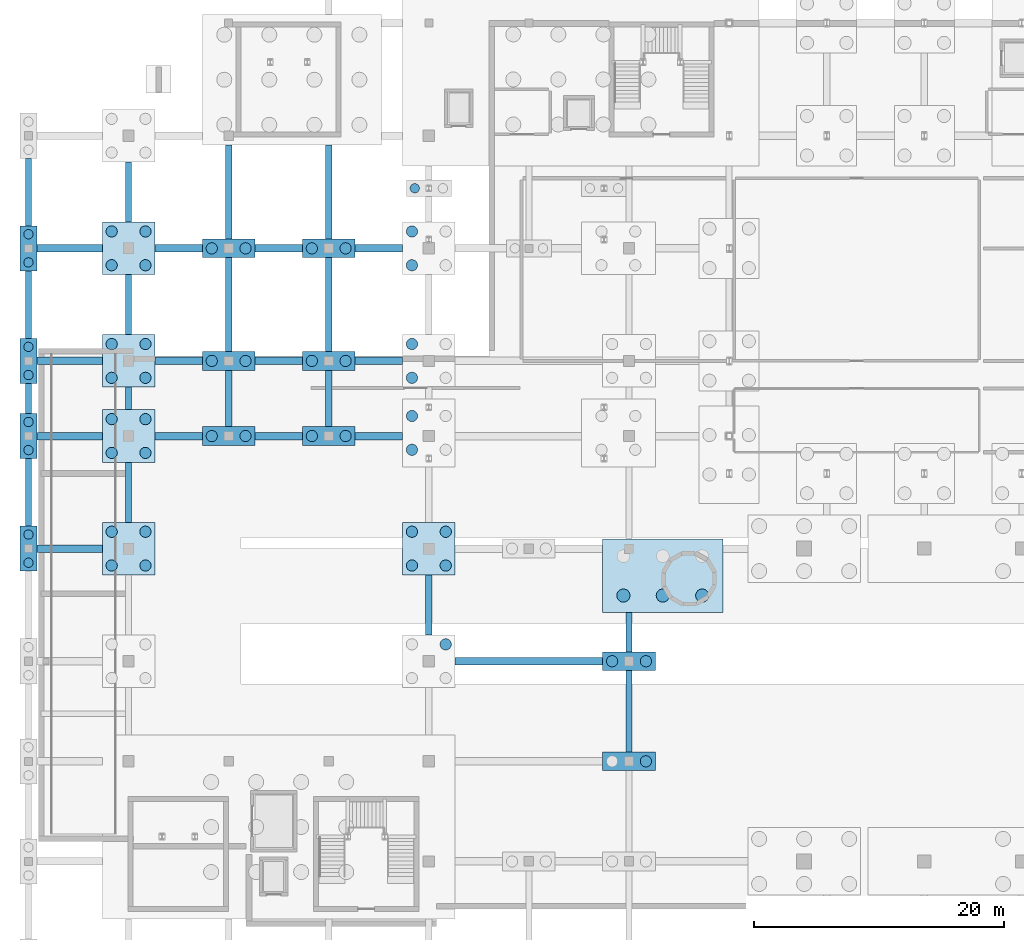
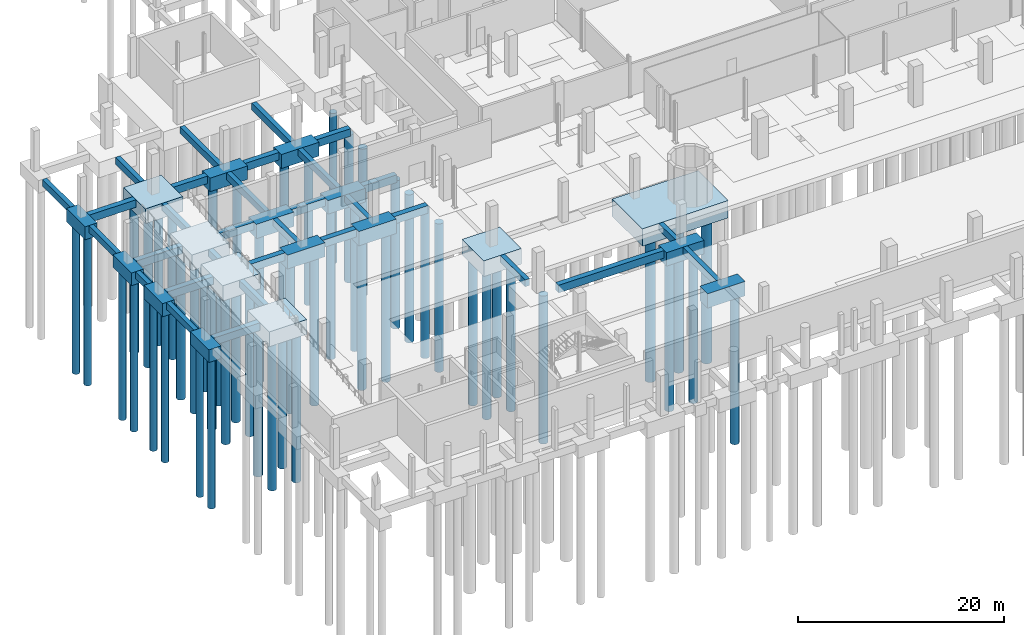
# One storey, part 2 of 32: 54 piles, 49 footings.
"""IFC4 building model written with IfcOpenShell, lengths in metres."""

from ifc_helpers import new_model, si_unit, derived_unit, direction, frame, origin, origin_2d, place, context, subcontext, project, spatial, rectangle, circle, extrude, material, material_profile, profile_set, type_object, element, save


model = new_model("IFC4")

# Units and contexts
model_context = context("Model", 3, precision=1e-05, world=origin(), true_north=direction((0.0, 1.0)))
body_context = subcontext(model_context, "Body", "Model", "MODEL_VIEW")
ifc_project = project(units=[si_unit("LENGTHUNIT", "METRE"), si_unit("AREAUNIT", "SQUARE_METRE"), si_unit("VOLUMEUNIT", "CUBIC_METRE"), si_unit("PLANEANGLEUNIT", "RADIAN"), si_unit("MASSUNIT", "GRAM", prefix="KILO"), derived_unit("THERMALTRANSMITTANCEUNIT", [(si_unit("POWERUNIT", "WATT"), 1), (si_unit("LENGTHUNIT", "METRE"), -2), (si_unit("THERMODYNAMICTEMPERATUREUNIT", "KELVIN"), -1)])], contexts=[model_context])

# Site, building, storey
site_placement = place(None, origin())
site = spatial("IfcSite", under=ifc_project, at=site_placement, CompositionType="ELEMENT")
building_placement = place(site_placement, origin())
building = spatial("IfcBuilding", under=site, at=building_placement, Name="Nallur Shell Playhouse", CompositionType="ELEMENT")
storey_placement = place(building_placement, frame((0.0, 0.0, -4.800048828125)))
storey = spatial("IfcBuildingStorey", under=building, at=storey_placement, Name="B1", CompositionType="ELEMENT", Elevation=-4.800048828125)

# Footings
ifc_material = material(Name="Concrete M35", Category="concrete")
footing_type_1 = type_object("IfcFootingType", Name="FT-PC-135x360x150", PredefinedType="PILE_CAP", material=ifc_material)
for number, where, z_axis, x_axis, name in (
    (1, (8.0, 41.0, -1.5), (0.0, 0.0, 1.0), (1.0, 0.0, 0.0), "Pile cap PC-005"),
    (2, (8.0, 56.0, -1.5), (0.0, 0.0, 1.0), (1.0, 0.0, 0.0), "Pile cap PC-007"),
):
    element("IfcFooting", number, at=place(storey_placement, frame(where, z_axis=z_axis, x_axis=x_axis)), inside=storey, type_object=footing_type_1, Name=name, PredefinedType="PILE_CAP", context=body_context, shape_type="SweptSolid", body=[
        extrude(rectangle(XDim=1.35009765625, YDim=3.60009765625, at=origin_2d()), origin(), (0.0, 0.0, 1.0), 1.5),
    ])
footing_type_2 = type_object("IfcFootingType", Name="FT-PC-135x360x155", PredefinedType="PILE_CAP", material=ifc_material)
for number, where, z_axis, x_axis, name in (
    (3, (8.0, 50.0, -1.5498046875), (0.0, 0.0, 1.0), (1.0, 0.0, 0.0), "Pile cap PC-006"),
    (4, (8.0, 65.0, -1.5498046875), (0.0, 0.0, 1.0), (1.0, 0.0, 0.0), "Pile cap PC-008"),
):
    element("IfcFooting", number, at=place(storey_placement, frame(where, z_axis=z_axis, x_axis=x_axis)), inside=storey, type_object=footing_type_2, Name=name, PredefinedType="PILE_CAP", context=body_context, shape_type="SweptSolid", body=[
        extrude(rectangle(XDim=1.35009765625, YDim=3.60009765625, at=origin_2d()), origin(), (0.0, 0.0, 1.0), 1.550048828125),
    ])
footing_type_3 = type_object("IfcFootingType", Name="FT-PC-420x150x160", PredefinedType="PILE_CAP", material=ifc_material)
for number, where, z_axis, x_axis, name in (
    (5, (24.0, 65.0, -1.60009765625), (0.0, 0.0, 1.0), (1.0, 0.0, 0.0), "Pile cap PC-021"),
    (6, (32.0, 56.0, -1.60009765625), (0.0, 0.0, 1.0), (1.0, 0.0, 0.0), "Pile cap PC-025"),
    (7, (56.0, 32.0, -1.60009765625), (0.0, 0.0, 1.0), (1.0, 0.0, 0.0), "Pile cap PC-051"),
):
    element("IfcFooting", number, at=place(storey_placement, frame(where, z_axis=z_axis, x_axis=x_axis)), inside=storey, type_object=footing_type_3, Name=name, PredefinedType="PILE_CAP", context=body_context, shape_type="SweptSolid", body=[
        extrude(rectangle(XDim=4.199951171875, YDim=1.5, at=origin_2d()), origin(), (0.0, 0.0, 1.0), 1.60009765625),
    ])
footing_type_4 = type_object("IfcFootingType", Name="FT-PC-420x150x165", PredefinedType="PILE_CAP", material=ifc_material)
for number, where, z_axis, x_axis, name in (
    (8, (24.0, 50.0, -1.64990234375), (0.0, 0.0, 1.0), (1.0, 0.0, 0.0), "Pile cap PC-019"),
    (9, (32.0, 65.0, -1.64990234375), (0.0, 0.0, 1.0), (1.0, 0.0, 0.0), "Pile cap PC-026"),
):
    element("IfcFooting", number, at=place(storey_placement, frame(where, z_axis=z_axis, x_axis=x_axis)), inside=storey, type_object=footing_type_4, Name=name, PredefinedType="PILE_CAP", context=body_context, shape_type="SweptSolid", body=[
        extrude(rectangle(XDim=4.199951171875, YDim=1.5, at=origin_2d()), origin(), (0.0, 0.0, 1.0), 1.64990234375),
    ])
footing_type_5 = type_object("IfcFootingType", Name="FT-PC-420x150x170", PredefinedType="PILE_CAP", material=ifc_material)
for number, where, z_axis, x_axis, name in (
    (10, (24.0, 56.0, -1.69970703125), (0.0, 0.0, 1.0), (1.0, 0.0, 0.0), "Pile cap PC-020"),
    (11, (32.0, 50.0, -1.69970703125), (0.0, 0.0, 1.0), (1.0, 0.0, 0.0), "Pile cap PC-024"),
    (12, (56.0, 24.0, -1.69970703125), (0.0, 0.0, 1.0), (1.0, 0.0, 0.0), "Pile cap PC-050"),
):
    element("IfcFooting", number, at=place(storey_placement, frame(where, z_axis=z_axis, x_axis=x_axis)), inside=storey, type_object=footing_type_5, Name=name, PredefinedType="PILE_CAP", context=body_context, shape_type="SweptSolid", body=[
        extrude(rectangle(XDim=4.199951171875, YDim=1.5, at=origin_2d()), origin(), (0.0, 0.0, 1.0), 1.699951171875),
    ])
footing_type_6 = type_object("IfcFootingType", Name="FT-PC-420x420x175", PredefinedType="PILE_CAP", material=ifc_material)
for number, where, z_axis, x_axis, name in (
    (13, (16.0, 41.0, -1.75), (0.0, 0.0, 1.0), (1.0, 0.0, 0.0), "Pile cap PC-013"),
    (14, (16.0, 65.0, -1.75), (0.0, 0.0, 1.0), (1.0, 0.0, 0.0), "Pile cap PC-016"),
):
    element("IfcFooting", number, at=place(storey_placement, frame(where, z_axis=z_axis, x_axis=x_axis)), inside=storey, type_object=footing_type_6, Name=name, PredefinedType="PILE_CAP", context=body_context, shape_type="SweptSolid", body=[
        extrude(rectangle(XDim=4.199951171875, YDim=4.199951171875, at=origin_2d()), origin(), (0.0, 0.0, 1.0), 1.75),
    ])
footing_type_7 = type_object("IfcFootingType", Name="FT-PC-420x420x180", PredefinedType="PILE_CAP", material=ifc_material)
footing_1_placement = place(storey_placement, frame((16.0, 50.0, -1.7998046875), z_axis=(0.0, 0.0, 1.0), x_axis=(1.0, 0.0, 0.0)))
element("IfcFooting", 15, at=footing_1_placement, inside=storey, type_object=footing_type_7, Name="Pile cap PC-014", PredefinedType="PILE_CAP", context=body_context, shape_type="SweptSolid", body=[
    extrude(rectangle(XDim=4.199951171875, YDim=4.199951171875, at=origin_2d()), origin(), (0.0, 0.0, 1.0), 1.800048828125),
])
footing_type_8 = type_object("IfcFootingType", Name="FT-PC-420x420x185", PredefinedType="PILE_CAP", material=ifc_material)
for number, where, z_axis, x_axis, name in (
    (16, (16.0, 56.0, -1.85009765625), (0.0, 0.0, 1.0), (1.0, 0.0, 0.0), "Pile cap PC-015"),
    (17, (40.0, 41.0, -1.85009765625), (0.0, 0.0, 1.0), (1.0, 0.0, 0.0), "Pile cap PC-031"),
):
    element("IfcFooting", number, at=place(storey_placement, frame(where, z_axis=z_axis, x_axis=x_axis)), inside=storey, type_object=footing_type_8, Name=name, PredefinedType="PILE_CAP", context=body_context, shape_type="SweptSolid", body=[
        extrude(rectangle(XDim=4.199951171875, YDim=4.199951171875, at=origin_2d()), origin(), (0.0, 0.0, 1.0), 1.85009765625),
    ])
footing_type_9 = type_object("IfcFootingType", Name="FT-PC-960x585x205", PredefinedType="PILE_CAP", material=ifc_material)
footing_2_placement = place(storey_placement, frame((58.699951171875, 38.824951171875, -2.0498046875), z_axis=(0.0, 0.0, 1.0), x_axis=(1.0, 0.0, 0.0)))
element("IfcFooting", 18, at=footing_2_placement, inside=storey, type_object=footing_type_9, Name="Pile cap PC-052", PredefinedType="PILE_CAP", context=body_context, shape_type="SweptSolid", body=[
    extrude(rectangle(XDim=9.60009765625, YDim=5.85009765625, at=origin_2d()), origin(), (0.0, 0.0, 1.0), 2.050048828125),
])
ifc_material_profile_1 = material_profile(ifc_material, rectangle(XDim=0.5, YDim=0.800048828125, at=origin_2d()), Name="RC 500x800")
ifc_profile_set_1 = profile_set([ifc_material_profile_1], Name="Concrete M35")
footing_type_10 = type_object("IfcFootingType", Name="FT-TB-500x800", PredefinedType="FOOTING_BEAM", material=ifc_profile_set_1)
footing_3_placement = place(storey_placement, frame((8.0, 42.800048828125, -0.39990234375), z_axis=(0.0, 1.0, 0.0), x_axis=(-1.0, 0.0, 0.0)))
element("IfcFooting", 19, at=footing_3_placement, inside=storey, type_object=footing_type_10, Name="Ground tie beam TB-Y-086", PredefinedType="FOOTING_BEAM", context=body_context, shape_type="SweptSolid", body=[
    extrude(rectangle(XDim=0.5, YDim=0.800048828125, at=origin_2d()), origin(), (0.0, 0.0, 1.0), 5.39990234375),
])
footing_4_placement = place(storey_placement, frame((8.0, 51.800048828125, -0.39990234375), z_axis=(0.0, 1.0, 0.0), x_axis=(-1.0, 0.0, 0.0)))
element("IfcFooting", 20, at=footing_4_placement, inside=storey, type_object=footing_type_10, Name="Ground tie beam TB-Y-087", PredefinedType="FOOTING_BEAM", context=body_context, shape_type="SweptSolid", body=[
    extrude(rectangle(XDim=0.5, YDim=0.800048828125, at=origin_2d()), origin(), (0.0, 0.0, 1.0), 2.39990234375),
])
for number, where, z_axis, x_axis, name in (
    (21, (8.0, 57.800048828125, -0.39990234375), (0.0, 1.0, 0.0), (-1.0, 0.0, 0.0), "Ground tie beam TB-Y-088"),
    (22, (8.0, 66.800048828125, -0.39990234375), (0.0, 1.0, 0.0), (-1.0, 0.0, 0.0), "Ground tie beam TB-Y-089"),
):
    element("IfcFooting", number, at=place(storey_placement, frame(where, z_axis=z_axis, x_axis=x_axis)), inside=storey, type_object=footing_type_10, Name=name, PredefinedType="FOOTING_BEAM", context=body_context, shape_type="SweptSolid", body=[
        extrude(rectangle(XDim=0.5, YDim=0.800048828125, at=origin_2d()), origin(), (0.0, 0.0, 1.0), 5.39990234375),
    ])
footing_5_placement = place(storey_placement, frame((16.0, 43.10009765625, -0.39990234375), z_axis=(0.0, 1.0, 0.0), x_axis=(-1.0, 0.0, 0.0)))
element("IfcFooting", 23, at=footing_5_placement, inside=storey, type_object=footing_type_10, Name="Ground tie beam TB-Y-093", PredefinedType="FOOTING_BEAM", context=body_context, shape_type="SweptSolid", body=[
    extrude(rectangle(XDim=0.5, YDim=0.800048828125, at=origin_2d()), origin(), (0.0, 0.0, 1.0), 4.7998046875),
])
footing_6_placement = place(storey_placement, frame((16.0, 52.10009765625, -0.39990234375), z_axis=(0.0, 1.0, 0.0), x_axis=(-1.0, 0.0, 0.0)))
element("IfcFooting", 24, at=footing_6_placement, inside=storey, type_object=footing_type_10, Name="Ground tie beam TB-Y-094", PredefinedType="FOOTING_BEAM", context=body_context, shape_type="SweptSolid", body=[
    extrude(rectangle(XDim=0.5, YDim=0.800048828125, at=origin_2d()), origin(), (0.0, 0.0, 1.0), 1.7998046875),
])
for number, where, z_axis, x_axis, name in (
    (25, (16.0, 58.10009765625, -0.39990234375), (0.0, 1.0, 0.0), (-1.0, 0.0, 0.0), "Ground tie beam TB-Y-095"),
    (26, (16.0, 67.10009765625, -0.39990234375), (0.0, 1.0, 0.0), (-1.0, 0.0, 0.0), "Ground tie beam TB-Y-096"),
):
    element("IfcFooting", number, at=place(storey_placement, frame(where, z_axis=z_axis, x_axis=x_axis)), inside=storey, type_object=footing_type_10, Name=name, PredefinedType="FOOTING_BEAM", context=body_context, shape_type="SweptSolid", body=[
        extrude(rectangle(XDim=0.5, YDim=0.800048828125, at=origin_2d()), origin(), (0.0, 0.0, 1.0), 4.7998046875),
    ])
footing_7_placement = place(storey_placement, frame((24.0, 50.75, -0.39990234375), z_axis=(0.0, 1.0, 0.0), x_axis=(-1.0, 0.0, 0.0)))
element("IfcFooting", 27, at=footing_7_placement, inside=storey, type_object=footing_type_10, Name="Ground tie beam TB-Y-098", PredefinedType="FOOTING_BEAM", context=body_context, shape_type="SweptSolid", body=[
    extrude(rectangle(XDim=0.5, YDim=0.800048828125, at=origin_2d()), origin(), (0.0, 0.0, 1.0), 4.5),
])
for number, where, z_axis, x_axis, name in (
    (28, (24.0, 56.75, -0.39990234375), (0.0, 1.0, 0.0), (-1.0, 0.0, 0.0), "Ground tie beam TB-Y-099"),
    (29, (24.0, 65.75, -0.39990234375), (0.0, 1.0, 0.0), (-1.0, 0.0, 0.0), "Ground tie beam TB-Y-100"),
):
    element("IfcFooting", number, at=place(storey_placement, frame(where, z_axis=z_axis, x_axis=x_axis)), inside=storey, type_object=footing_type_10, Name=name, PredefinedType="FOOTING_BEAM", context=body_context, shape_type="SweptSolid", body=[
        extrude(rectangle(XDim=0.5, YDim=0.800048828125, at=origin_2d()), origin(), (0.0, 0.0, 1.0), 7.5),
    ])
footing_8_placement = place(storey_placement, frame((32.0, 50.75, -0.39990234375), z_axis=(0.0, 1.0, 0.0), x_axis=(-1.0, 0.0, 0.0)))
element("IfcFooting", 30, at=footing_8_placement, inside=storey, type_object=footing_type_10, Name="Ground tie beam TB-Y-102", PredefinedType="FOOTING_BEAM", context=body_context, shape_type="SweptSolid", body=[
    extrude(rectangle(XDim=0.5, YDim=0.800048828125, at=origin_2d()), origin(), (0.0, 0.0, 1.0), 4.5),
])
for number, where, z_axis, x_axis, name in (
    (31, (32.0, 56.75, -0.39990234375), (0.0, 1.0, 0.0), (-1.0, 0.0, 0.0), "Ground tie beam TB-Y-103"),
    (32, (32.0, 65.75, -0.39990234375), (0.0, 1.0, 0.0), (-1.0, 0.0, 0.0), "Ground tie beam TB-Y-104"),
):
    element("IfcFooting", number, at=place(storey_placement, frame(where, z_axis=z_axis, x_axis=x_axis)), inside=storey, type_object=footing_type_10, Name=name, PredefinedType="FOOTING_BEAM", context=body_context, shape_type="SweptSolid", body=[
        extrude(rectangle(XDim=0.5, YDim=0.800048828125, at=origin_2d()), origin(), (0.0, 0.0, 1.0), 7.5),
    ])
footing_9_placement = place(storey_placement, frame((40.0, 34.10009765625, -0.39990234375), z_axis=(0.0, 1.0, 0.0), x_axis=(-1.0, 0.0, 0.0)))
element("IfcFooting", 33, at=footing_9_placement, inside=storey, type_object=footing_type_10, Name="Ground tie beam TB-Y-109", PredefinedType="FOOTING_BEAM", context=body_context, shape_type="SweptSolid", body=[
    extrude(rectangle(XDim=0.5, YDim=0.800048828125, at=origin_2d()), origin(), (0.0, 0.0, 1.0), 4.7998046875),
])
footing_10_placement = place(storey_placement, frame((56.0, 24.75, -0.39990234375), z_axis=(0.0, 1.0, 0.0), x_axis=(-1.0, 0.0, 0.0)))
element("IfcFooting", 34, at=footing_10_placement, inside=storey, type_object=footing_type_10, Name="Ground tie beam TB-Y-127", PredefinedType="FOOTING_BEAM", context=body_context, shape_type="SweptSolid", body=[
    extrude(rectangle(XDim=0.5, YDim=0.800048828125, at=origin_2d()), origin(), (0.0, 0.0, 1.0), 6.5),
])
footing_11_placement = place(storey_placement, frame((56.0, 32.75, -0.39990234375), z_axis=(0.0, 1.0, 0.0), x_axis=(-1.0, 0.0, 0.0)))
element("IfcFooting", 35, at=footing_11_placement, inside=storey, type_object=footing_type_10, Name="Ground tie beam TB-Y-128", PredefinedType="FOOTING_BEAM", context=body_context, shape_type="SweptSolid", body=[
    extrude(rectangle(XDim=0.5, YDim=0.800048828125, at=origin_2d()), origin(), (0.0, 0.0, 1.0), 3.14990234375),
])
ifc_material_profile_2 = material_profile(ifc_material, rectangle(XDim=0.60009765625, YDim=0.89990234375, at=origin_2d()), Name="RC 600x900")
ifc_profile_set_2 = profile_set([ifc_material_profile_2], Name="Concrete M35")
footing_type_11 = type_object("IfcFootingType", Name="FT-TB-600x900", PredefinedType="FOOTING_BEAM", material=ifc_profile_set_2)
footing_12_placement = place(storey_placement, frame((42.10009765625, 32.0, -0.449951171875), z_axis=(1.0, 0.0, 0.0), x_axis=(0.0, 1.0, 0.0)))
element("IfcFooting", 36, at=footing_12_placement, inside=storey, type_object=footing_type_11, Name="Ground tie beam TB-X-026", PredefinedType="FOOTING_BEAM", context=body_context, shape_type="SweptSolid", body=[
    extrude(rectangle(XDim=0.60009765625, YDim=0.89990234375, at=origin_2d()), origin(), (0.0, 0.0, 1.0), 11.7998046875),
])
for number, where, z_axis, x_axis, name in (
    (37, (8.675048828125, 41.0, -0.449951171875), (1.0, 0.0, 0.0), (0.0, 1.0, 0.0), "Ground tie beam TB-X-029"),
    (38, (8.675048828125, 50.0, -0.449951171875), (1.0, 0.0, 0.0), (0.0, 1.0, 0.0), "Ground tie beam TB-X-037"),
):
    element("IfcFooting", number, at=place(storey_placement, frame(where, z_axis=z_axis, x_axis=x_axis)), inside=storey, type_object=footing_type_11, Name=name, PredefinedType="FOOTING_BEAM", context=body_context, shape_type="SweptSolid", body=[
        extrude(rectangle(XDim=0.60009765625, YDim=0.89990234375, at=origin_2d()), origin(), (0.0, 0.0, 1.0), 5.224853515625),
    ])
for number, where, z_axis, x_axis, name in (
    (39, (18.10009765625, 50.0, -0.449951171875), (1.0, 0.0, 0.0), (0.0, 1.0, 0.0), "Ground tie beam TB-X-038"),
    (40, (26.10009765625, 50.0, -0.449951171875), (1.0, 0.0, 0.0), (0.0, 1.0, 0.0), "Ground tie beam TB-X-039"),
    (41, (34.10009765625, 50.0, -0.449951171875), (1.0, 0.0, 0.0), (0.0, 1.0, 0.0), "Ground tie beam TB-X-040"),
):
    element("IfcFooting", number, at=place(storey_placement, frame(where, z_axis=z_axis, x_axis=x_axis)), inside=storey, type_object=footing_type_11, Name=name, PredefinedType="FOOTING_BEAM", context=body_context, shape_type="SweptSolid", body=[
        extrude(rectangle(XDim=0.60009765625, YDim=0.89990234375, at=origin_2d()), origin(), (0.0, 0.0, 1.0), 3.7998046875),
    ])
footing_13_placement = place(storey_placement, frame((8.675048828125, 56.0, -0.449951171875), z_axis=(1.0, 0.0, 0.0), x_axis=(0.0, 1.0, 0.0)))
element("IfcFooting", 42, at=footing_13_placement, inside=storey, type_object=footing_type_11, Name="Ground tie beam TB-X-046", PredefinedType="FOOTING_BEAM", context=body_context, shape_type="SweptSolid", body=[
    extrude(rectangle(XDim=0.60009765625, YDim=0.89990234375, at=origin_2d()), origin(), (0.0, 0.0, 1.0), 5.224853515625),
])
for number, where, z_axis, x_axis, name in (
    (43, (18.10009765625, 56.0, -0.449951171875), (1.0, 0.0, 0.0), (0.0, 1.0, 0.0), "Ground tie beam TB-X-047"),
    (44, (26.10009765625, 56.0, -0.449951171875), (1.0, 0.0, 0.0), (0.0, 1.0, 0.0), "Ground tie beam TB-X-048"),
    (45, (34.10009765625, 56.0, -0.449951171875), (1.0, 0.0, 0.0), (0.0, 1.0, 0.0), "Ground tie beam TB-X-049"),
):
    element("IfcFooting", number, at=place(storey_placement, frame(where, z_axis=z_axis, x_axis=x_axis)), inside=storey, type_object=footing_type_11, Name=name, PredefinedType="FOOTING_BEAM", context=body_context, shape_type="SweptSolid", body=[
        extrude(rectangle(XDim=0.60009765625, YDim=0.89990234375, at=origin_2d()), origin(), (0.0, 0.0, 1.0), 3.7998046875),
    ])
footing_14_placement = place(storey_placement, frame((8.675048828125, 65.0, -0.449951171875), z_axis=(1.0, 0.0, 0.0), x_axis=(0.0, 1.0, 0.0)))
element("IfcFooting", 46, at=footing_14_placement, inside=storey, type_object=footing_type_11, Name="Ground tie beam TB-X-055", PredefinedType="FOOTING_BEAM", context=body_context, shape_type="SweptSolid", body=[
    extrude(rectangle(XDim=0.60009765625, YDim=0.89990234375, at=origin_2d()), origin(), (0.0, 0.0, 1.0), 5.224853515625),
])
for number, where, z_axis, x_axis, name in (
    (47, (18.10009765625, 65.0, -0.449951171875), (1.0, 0.0, 0.0), (0.0, 1.0, 0.0), "Ground tie beam TB-X-056"),
    (48, (26.10009765625, 65.0, -0.449951171875), (1.0, 0.0, 0.0), (0.0, 1.0, 0.0), "Ground tie beam TB-X-057"),
    (49, (34.10009765625, 65.0, -0.449951171875), (1.0, 0.0, 0.0), (0.0, 1.0, 0.0), "Ground tie beam TB-X-058"),
):
    element("IfcFooting", number, at=place(storey_placement, frame(where, z_axis=z_axis, x_axis=x_axis)), inside=storey, type_object=footing_type_11, Name=name, PredefinedType="FOOTING_BEAM", context=body_context, shape_type="SweptSolid", body=[
        extrude(rectangle(XDim=0.60009765625, YDim=0.89990234375, at=origin_2d()), origin(), (0.0, 0.0, 1.0), 3.7998046875),
    ])

# Piles
ifc_material_profile_3 = material_profile(ifc_material, circle(Radius=0.52490234375, at=origin_2d()), Name="BORED PILE D1050")
ifc_profile_set_3 = profile_set([ifc_material_profile_3], Name="Concrete M35")
pile_type_1 = type_object("IfcPileType", Name="PL-D1050", PredefinedType="BORED", material=ifc_profile_set_3)
for number, where, z_axis, x_axis, name in (
    (50, (55.550048828125, 37.25, -1.949951171875), (0.0, 0.0, -1.0), (1.0, 0.0, 0.0), "Bored pile BP-145"),
    (51, (58.699951171875, 37.25, -1.949951171875), (0.0, 0.0, -1.0), (1.0, 0.0, 0.0), "Bored pile BP-147"),
    (52, (61.85009765625, 37.25, -1.949951171875), (0.0, 0.0, -1.0), (1.0, 0.0, 0.0), "Bored pile BP-149"),
):
    element("IfcPile", number, at=place(storey_placement, frame(where, z_axis=z_axis, x_axis=x_axis)), inside=storey, type_object=pile_type_1, Name=name, PredefinedType="BORED", context=body_context, shape_type="SweptSolid", body=[
        extrude(circle(Radius=0.52490234375, at=origin_2d()), origin(), (0.0, 0.0, 1.0), 17.25),
    ])
ifc_material_profile_4 = material_profile(ifc_material, circle(Radius=0.375, at=origin_2d()), Name="BORED PILE D750")
ifc_profile_set_4 = profile_set([ifc_material_profile_4], Name="Concrete M35")
pile_type_2 = type_object("IfcPileType", Name="PL-D750", PredefinedType="BORED", material=ifc_profile_set_4)
for number, where, z_axis, x_axis, name in (
    (53, (8.0, 39.875, -1.39990234375), (0.0, 0.0, -1.0), (1.0, 0.0, 0.0), "Bored pile BP-009"),
    (54, (8.0, 42.125, -1.39990234375), (0.0, 0.0, -1.0), (1.0, 0.0, 0.0), "Bored pile BP-010"),
):
    element("IfcPile", number, at=place(storey_placement, frame(where, z_axis=z_axis, x_axis=x_axis)), inside=storey, type_object=pile_type_2, Name=name, PredefinedType="BORED", context=body_context, shape_type="SweptSolid", body=[
        extrude(circle(Radius=0.375, at=origin_2d()), origin(), (0.0, 0.0, 1.0), 17.800048828125),
    ])
for number, where, z_axis, x_axis, name in (
    (55, (8.0, 48.875, -1.449951171875), (0.0, 0.0, -1.0), (1.0, 0.0, 0.0), "Bored pile BP-011"),
    (56, (8.0, 51.125, -1.449951171875), (0.0, 0.0, -1.0), (1.0, 0.0, 0.0), "Bored pile BP-012"),
):
    element("IfcPile", number, at=place(storey_placement, frame(where, z_axis=z_axis, x_axis=x_axis)), inside=storey, type_object=pile_type_2, Name=name, PredefinedType="BORED", context=body_context, shape_type="SweptSolid", body=[
        extrude(circle(Radius=0.375, at=origin_2d()), origin(), (0.0, 0.0, 1.0), 17.75),
    ])
for number, where, z_axis, x_axis, name in (
    (57, (8.0, 54.875, -1.39990234375), (0.0, 0.0, -1.0), (1.0, 0.0, 0.0), "Bored pile BP-013"),
    (58, (8.0, 57.125, -1.39990234375), (0.0, 0.0, -1.0), (1.0, 0.0, 0.0), "Bored pile BP-014"),
):
    element("IfcPile", number, at=place(storey_placement, frame(where, z_axis=z_axis, x_axis=x_axis)), inside=storey, type_object=pile_type_2, Name=name, PredefinedType="BORED", context=body_context, shape_type="SweptSolid", body=[
        extrude(circle(Radius=0.375, at=origin_2d()), origin(), (0.0, 0.0, 1.0), 17.800048828125),
    ])
for number, where, z_axis, x_axis, name in (
    (59, (8.0, 63.875, -1.449951171875), (0.0, 0.0, -1.0), (1.0, 0.0, 0.0), "Bored pile BP-015"),
    (60, (8.0, 66.125, -1.449951171875), (0.0, 0.0, -1.0), (1.0, 0.0, 0.0), "Bored pile BP-016"),
):
    element("IfcPile", number, at=place(storey_placement, frame(where, z_axis=z_axis, x_axis=x_axis)), inside=storey, type_object=pile_type_2, Name=name, PredefinedType="BORED", context=body_context, shape_type="SweptSolid", body=[
        extrude(circle(Radius=0.375, at=origin_2d()), origin(), (0.0, 0.0, 1.0), 17.75),
    ])
pile_1_placement = place(storey_placement, frame((38.875, 69.800048828125, -1.39990234375), z_axis=(0.0, 0.0, -1.0), x_axis=(1.0, 0.0, 0.0)))
element("IfcPile", 61, at=pile_1_placement, inside=storey, type_object=pile_type_2, Name="Bored pile BP-280", PredefinedType="BORED", context=body_context, shape_type="SweptSolid", body=[
    extrude(circle(Radius=0.375, at=origin_2d()), origin(), (0.0, 0.0, 1.0), 17.800048828125),
])
ifc_material_profile_5 = material_profile(ifc_material, circle(Radius=0.449951171875, at=origin_2d()), Name="BORED PILE D900")
ifc_profile_set_5 = profile_set([ifc_material_profile_5], Name="Concrete M35")
pile_type_3 = type_object("IfcPileType", Name="PL-D900", PredefinedType="BORED", material=ifc_profile_set_5)
for number, where, z_axis, x_axis, name in (
    (62, (14.64990234375, 39.64990234375, -1.64990234375), (0.0, 0.0, -1.0), (1.0, 0.0, 0.0), "Bored pile BP-037"),
    (63, (14.64990234375, 42.35009765625, -1.64990234375), (0.0, 0.0, -1.0), (1.0, 0.0, 0.0), "Bored pile BP-038"),
    (64, (17.35009765625, 39.64990234375, -1.64990234375), (0.0, 0.0, -1.0), (1.0, 0.0, 0.0), "Bored pile BP-039"),
    (65, (17.35009765625, 42.35009765625, -1.64990234375), (0.0, 0.0, -1.0), (1.0, 0.0, 0.0), "Bored pile BP-040"),
):
    element("IfcPile", number, at=place(storey_placement, frame(where, z_axis=z_axis, x_axis=x_axis)), inside=storey, type_object=pile_type_3, Name=name, PredefinedType="BORED", context=body_context, shape_type="SweptSolid", body=[
        extrude(circle(Radius=0.449951171875, at=origin_2d()), origin(), (0.0, 0.0, 1.0), 17.550048828125),
    ])
for number, where, z_axis, x_axis, name in (
    (66, (14.64990234375, 48.64990234375, -1.699951171875), (0.0, 0.0, -1.0), (1.0, 0.0, 0.0), "Bored pile BP-041"),
    (67, (14.64990234375, 51.35009765625, -1.699951171875), (0.0, 0.0, -1.0), (1.0, 0.0, 0.0), "Bored pile BP-042"),
    (68, (17.35009765625, 48.64990234375, -1.699951171875), (0.0, 0.0, -1.0), (1.0, 0.0, 0.0), "Bored pile BP-043"),
    (69, (17.35009765625, 51.35009765625, -1.699951171875), (0.0, 0.0, -1.0), (1.0, 0.0, 0.0), "Bored pile BP-044"),
):
    element("IfcPile", number, at=place(storey_placement, frame(where, z_axis=z_axis, x_axis=x_axis)), inside=storey, type_object=pile_type_3, Name=name, PredefinedType="BORED", context=body_context, shape_type="SweptSolid", body=[
        extrude(circle(Radius=0.449951171875, at=origin_2d()), origin(), (0.0, 0.0, 1.0), 17.5),
    ])
for number, where, z_axis, x_axis, name in (
    (70, (14.64990234375, 54.64990234375, -1.75), (0.0, 0.0, -1.0), (1.0, 0.0, 0.0), "Bored pile BP-045"),
    (71, (14.64990234375, 57.35009765625, -1.75), (0.0, 0.0, -1.0), (1.0, 0.0, 0.0), "Bored pile BP-046"),
    (72, (17.35009765625, 54.64990234375, -1.75), (0.0, 0.0, -1.0), (1.0, 0.0, 0.0), "Bored pile BP-047"),
    (73, (17.35009765625, 57.35009765625, -1.75), (0.0, 0.0, -1.0), (1.0, 0.0, 0.0), "Bored pile BP-048"),
):
    element("IfcPile", number, at=place(storey_placement, frame(where, z_axis=z_axis, x_axis=x_axis)), inside=storey, type_object=pile_type_3, Name=name, PredefinedType="BORED", context=body_context, shape_type="SweptSolid", body=[
        extrude(circle(Radius=0.449951171875, at=origin_2d()), origin(), (0.0, 0.0, 1.0), 17.449951171875),
    ])
for number, where, z_axis, x_axis, name in (
    (74, (14.64990234375, 63.64990234375, -1.64990234375), (0.0, 0.0, -1.0), (1.0, 0.0, 0.0), "Bored pile BP-049"),
    (75, (14.64990234375, 66.35009765625, -1.64990234375), (0.0, 0.0, -1.0), (1.0, 0.0, 0.0), "Bored pile BP-050"),
    (76, (17.35009765625, 63.64990234375, -1.64990234375), (0.0, 0.0, -1.0), (1.0, 0.0, 0.0), "Bored pile BP-051"),
    (77, (17.35009765625, 66.35009765625, -1.64990234375), (0.0, 0.0, -1.0), (1.0, 0.0, 0.0), "Bored pile BP-052"),
):
    element("IfcPile", number, at=place(storey_placement, frame(where, z_axis=z_axis, x_axis=x_axis)), inside=storey, type_object=pile_type_3, Name=name, PredefinedType="BORED", context=body_context, shape_type="SweptSolid", body=[
        extrude(circle(Radius=0.449951171875, at=origin_2d()), origin(), (0.0, 0.0, 1.0), 17.550048828125),
    ])
for number, where, z_axis, x_axis, name in (
    (78, (22.64990234375, 50.0, -1.550048828125), (0.0, 0.0, -1.0), (1.0, 0.0, 0.0), "Bored pile BP-059"),
    (79, (25.35009765625, 50.0, -1.550048828125), (0.0, 0.0, -1.0), (1.0, 0.0, 0.0), "Bored pile BP-060"),
):
    element("IfcPile", number, at=place(storey_placement, frame(where, z_axis=z_axis, x_axis=x_axis)), inside=storey, type_object=pile_type_3, Name=name, PredefinedType="BORED", context=body_context, shape_type="SweptSolid", body=[
        extrude(circle(Radius=0.449951171875, at=origin_2d()), origin(), (0.0, 0.0, 1.0), 17.64990234375),
    ])
for number, where, z_axis, x_axis, name in (
    (80, (22.64990234375, 56.0, -1.599853515625), (0.0, 0.0, -1.0), (1.0, 0.0, 0.0), "Bored pile BP-061"),
    (81, (25.35009765625, 56.0, -1.599853515625), (0.0, 0.0, -1.0), (1.0, 0.0, 0.0), "Bored pile BP-062"),
):
    element("IfcPile", number, at=place(storey_placement, frame(where, z_axis=z_axis, x_axis=x_axis)), inside=storey, type_object=pile_type_3, Name=name, PredefinedType="BORED", context=body_context, shape_type="SweptSolid", body=[
        extrude(circle(Radius=0.449951171875, at=origin_2d()), origin(), (0.0, 0.0, 1.0), 17.60009765625),
    ])
for number, where, z_axis, x_axis, name in (
    (82, (22.64990234375, 65.0, -1.5), (0.0, 0.0, -1.0), (1.0, 0.0, 0.0), "Bored pile BP-063"),
    (83, (25.35009765625, 65.0, -1.5), (0.0, 0.0, -1.0), (1.0, 0.0, 0.0), "Bored pile BP-064"),
):
    element("IfcPile", number, at=place(storey_placement, frame(where, z_axis=z_axis, x_axis=x_axis)), inside=storey, type_object=pile_type_3, Name=name, PredefinedType="BORED", context=body_context, shape_type="SweptSolid", body=[
        extrude(circle(Radius=0.449951171875, at=origin_2d()), origin(), (0.0, 0.0, 1.0), 17.699951171875),
    ])
for number, where, z_axis, x_axis, name in (
    (84, (30.64990234375, 50.0, -1.599853515625), (0.0, 0.0, -1.0), (1.0, 0.0, 0.0), "Bored pile BP-079"),
    (85, (33.35009765625, 50.0, -1.599853515625), (0.0, 0.0, -1.0), (1.0, 0.0, 0.0), "Bored pile BP-080"),
):
    element("IfcPile", number, at=place(storey_placement, frame(where, z_axis=z_axis, x_axis=x_axis)), inside=storey, type_object=pile_type_3, Name=name, PredefinedType="BORED", context=body_context, shape_type="SweptSolid", body=[
        extrude(circle(Radius=0.449951171875, at=origin_2d()), origin(), (0.0, 0.0, 1.0), 17.60009765625),
    ])
for number, where, z_axis, x_axis, name in (
    (86, (30.64990234375, 56.0, -1.5), (0.0, 0.0, -1.0), (1.0, 0.0, 0.0), "Bored pile BP-081"),
    (87, (33.35009765625, 56.0, -1.5), (0.0, 0.0, -1.0), (1.0, 0.0, 0.0), "Bored pile BP-082"),
):
    element("IfcPile", number, at=place(storey_placement, frame(where, z_axis=z_axis, x_axis=x_axis)), inside=storey, type_object=pile_type_3, Name=name, PredefinedType="BORED", context=body_context, shape_type="SweptSolid", body=[
        extrude(circle(Radius=0.449951171875, at=origin_2d()), origin(), (0.0, 0.0, 1.0), 17.699951171875),
    ])
for number, where, z_axis, x_axis, name in (
    (88, (30.64990234375, 65.0, -1.550048828125), (0.0, 0.0, -1.0), (1.0, 0.0, 0.0), "Bored pile BP-083"),
    (89, (33.35009765625, 65.0, -1.550048828125), (0.0, 0.0, -1.0), (1.0, 0.0, 0.0), "Bored pile BP-084"),
):
    element("IfcPile", number, at=place(storey_placement, frame(where, z_axis=z_axis, x_axis=x_axis)), inside=storey, type_object=pile_type_3, Name=name, PredefinedType="BORED", context=body_context, shape_type="SweptSolid", body=[
        extrude(circle(Radius=0.449951171875, at=origin_2d()), origin(), (0.0, 0.0, 1.0), 17.64990234375),
    ])
pile_2_placement = place(storey_placement, frame((41.35009765625, 33.35009765625, -1.699951171875), z_axis=(0.0, 0.0, -1.0), x_axis=(1.0, 0.0, 0.0)))
element("IfcPile", 90, at=pile_2_placement, inside=storey, type_object=pile_type_3, Name="Bored pile BP-092", PredefinedType="BORED", context=body_context, shape_type="SweptSolid", body=[
    extrude(circle(Radius=0.449951171875, at=origin_2d()), origin(), (0.0, 0.0, 1.0), 17.5),
])
for number, where, z_axis, x_axis, name in (
    (91, (38.64990234375, 39.64990234375, -1.75), (0.0, 0.0, -1.0), (1.0, 0.0, 0.0), "Bored pile BP-093"),
    (92, (38.64990234375, 42.35009765625, -1.75), (0.0, 0.0, -1.0), (1.0, 0.0, 0.0), "Bored pile BP-094"),
    (93, (41.35009765625, 39.64990234375, -1.75), (0.0, 0.0, -1.0), (1.0, 0.0, 0.0), "Bored pile BP-095"),
    (94, (41.35009765625, 42.35009765625, -1.75), (0.0, 0.0, -1.0), (1.0, 0.0, 0.0), "Bored pile BP-096"),
):
    element("IfcPile", number, at=place(storey_placement, frame(where, z_axis=z_axis, x_axis=x_axis)), inside=storey, type_object=pile_type_3, Name=name, PredefinedType="BORED", context=body_context, shape_type="SweptSolid", body=[
        extrude(circle(Radius=0.449951171875, at=origin_2d()), origin(), (0.0, 0.0, 1.0), 17.449951171875),
    ])
for number, where, z_axis, x_axis, name in (
    (95, (38.64990234375, 48.89990234375, -1.64990234375), (0.0, 0.0, -1.0), (1.0, 0.0, 0.0), "Bored pile BP-097"),
    (96, (38.64990234375, 51.60009765625, -1.64990234375), (0.0, 0.0, -1.0), (1.0, 0.0, 0.0), "Bored pile BP-098"),
):
    element("IfcPile", number, at=place(storey_placement, frame(where, z_axis=z_axis, x_axis=x_axis)), inside=storey, type_object=pile_type_3, Name=name, PredefinedType="BORED", context=body_context, shape_type="SweptSolid", body=[
        extrude(circle(Radius=0.449951171875, at=origin_2d()), origin(), (0.0, 0.0, 1.0), 17.550048828125),
    ])
for number, where, z_axis, x_axis, name in (
    (97, (38.64990234375, 54.64990234375, -1.699951171875), (0.0, 0.0, -1.0), (1.0, 0.0, 0.0), "Bored pile BP-101"),
    (98, (38.64990234375, 57.35009765625, -1.699951171875), (0.0, 0.0, -1.0), (1.0, 0.0, 0.0), "Bored pile BP-102"),
):
    element("IfcPile", number, at=place(storey_placement, frame(where, z_axis=z_axis, x_axis=x_axis)), inside=storey, type_object=pile_type_3, Name=name, PredefinedType="BORED", context=body_context, shape_type="SweptSolid", body=[
        extrude(circle(Radius=0.449951171875, at=origin_2d()), origin(), (0.0, 0.0, 1.0), 17.5),
    ])
for number, where, z_axis, x_axis, name in (
    (99, (38.64990234375, 63.64990234375, -1.75), (0.0, 0.0, -1.0), (1.0, 0.0, 0.0), "Bored pile BP-105"),
    (100, (38.64990234375, 66.35009765625, -1.75), (0.0, 0.0, -1.0), (1.0, 0.0, 0.0), "Bored pile BP-106"),
):
    element("IfcPile", number, at=place(storey_placement, frame(where, z_axis=z_axis, x_axis=x_axis)), inside=storey, type_object=pile_type_3, Name=name, PredefinedType="BORED", context=body_context, shape_type="SweptSolid", body=[
        extrude(circle(Radius=0.449951171875, at=origin_2d()), origin(), (0.0, 0.0, 1.0), 17.449951171875),
    ])
pile_3_placement = place(storey_placement, frame((57.35009765625, 24.0, -1.599853515625), z_axis=(0.0, 0.0, -1.0), x_axis=(1.0, 0.0, 0.0)))
element("IfcPile", 101, at=pile_3_placement, inside=storey, type_object=pile_type_3, Name="Bored pile BP-142", PredefinedType="BORED", context=body_context, shape_type="SweptSolid", body=[
    extrude(circle(Radius=0.449951171875, at=origin_2d()), origin(), (0.0, 0.0, 1.0), 17.60009765625),
])
for number, where, z_axis, x_axis, name in (
    (102, (54.64990234375, 32.0, -1.5), (0.0, 0.0, -1.0), (1.0, 0.0, 0.0), "Bored pile BP-143"),
    (103, (57.35009765625, 32.0, -1.5), (0.0, 0.0, -1.0), (1.0, 0.0, 0.0), "Bored pile BP-144"),
):
    element("IfcPile", number, at=place(storey_placement, frame(where, z_axis=z_axis, x_axis=x_axis)), inside=storey, type_object=pile_type_3, Name=name, PredefinedType="BORED", context=body_context, shape_type="SweptSolid", body=[
        extrude(circle(Radius=0.449951171875, at=origin_2d()), origin(), (0.0, 0.0, 1.0), 17.699951171875),
    ])

save(model, "model.ifc")
